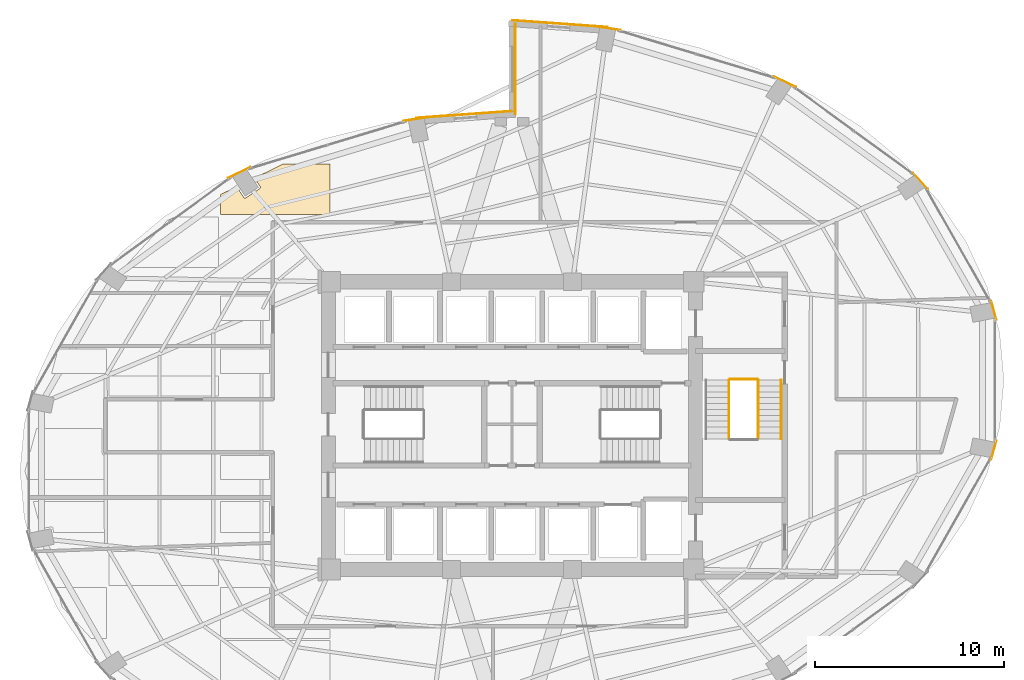
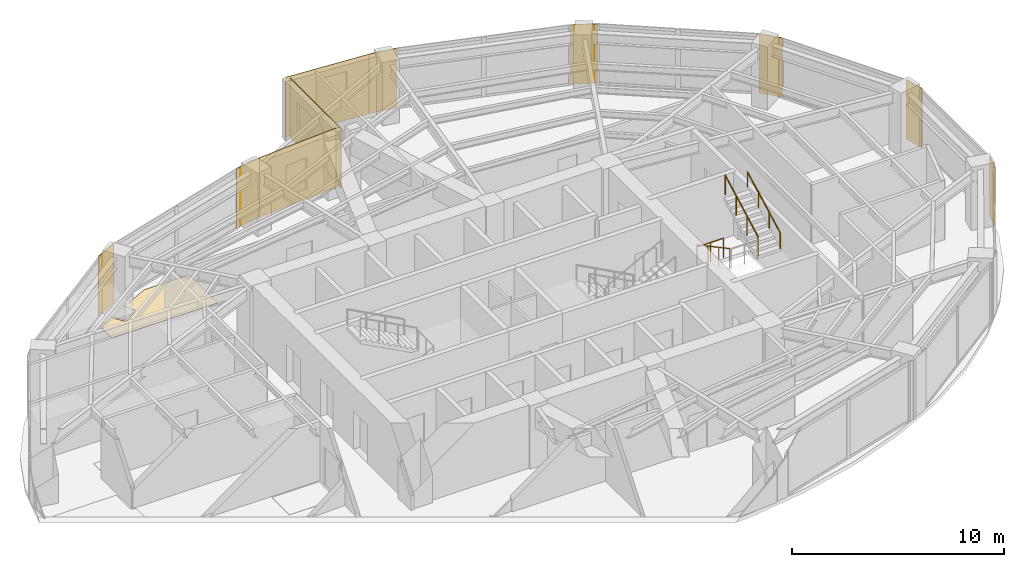
# One storey, part 23 of 23: 11 coverings, 4 railings.
"""IFC4 building model written with IfcOpenShell, lengths in metres."""

from ifc_helpers import new_model, si_unit, direction, frame, origin, origin_2d, place, context, subcontext, project, spatial, polyline, rectangle, circle, outline, extrude, material, layer, layer_set, type_object, element, save


model = new_model("IFC4")

# Units and contexts
model_context = context("Model", 3, precision=1e-05, world=origin(), true_north=direction((0.0, 1.0)))
body_context = subcontext(model_context, "Body", "Model", "MODEL_VIEW")
ifc_project = project(units=[si_unit("LENGTHUNIT", "METRE"), si_unit("AREAUNIT", "SQUARE_METRE"), si_unit("VOLUMEUNIT", "CUBIC_METRE"), si_unit("PLANEANGLEUNIT", "RADIAN"), si_unit("MASSUNIT", "GRAM", prefix="KILO")], contexts=[model_context])

# Site, building, storey
site_placement = place(None, origin())
site = spatial("IfcSite", under=ifc_project, at=site_placement, CompositionType="ELEMENT")
building_placement = place(site_placement, origin())
building = spatial("IfcBuilding", under=site, at=building_placement, Name="Lazwardi Medical Tower", CompositionType="ELEMENT")
storey_placement = place(building_placement, frame((0.0, 0.0, 92.68798828125)))
storey = spatial("IfcBuildingStorey", under=building, at=storey_placement, Name="L23", CompositionType="ELEMENT", Elevation=92.68798828125)

# Coverings
ifc_material_1 = material(Name="Anodised bronze aluminium cassette cladding", Category="aluminium")
ifc_layer_1 = layer(ifc_material_1, 0.030029296875)
ifc_layer_set_1 = layer_set([ifc_layer_1], Name="Anodised bronze aluminium cassette cladding")
covering_type_1 = type_object("IfcCoveringType", Name="COV-CLD-BRZ", PredefinedType="CLADDING", material=ifc_layer_set_1)
for number, where, z_axis, x_axis, name in (
    (1, (61.459716796875, 26.700927734375, 0.0), (0.0, 0.0, 1.0), (0.262696108164, 0.964878621774, 0.0), "L23 Mega-column bronze cassette cover M04"),
    (2, (61.459716796875, 34.09912109375, 0.0), (0.0, 0.0, 1.0), (-0.262696108164, 0.964878621774, 0.0), "L23 Mega-column bronze cassette cover M05"),
):
    element("IfcCovering", number, at=place(storey_placement, frame(where, z_axis=z_axis, x_axis=x_axis)), inside=storey, type_object=covering_type_1, Name=name, PredefinedType="CLADDING", context=body_context, shape_type="SweptSolid", body=[
        extrude(rectangle(XDim=1.04296875, YDim=0.030029296875, at=origin_2d()), origin(), (0.0, 0.0, 1.0), 3.427978515625),
    ])
covering_1_placement = place(storey_placement, frame((57.583740234375, 40.93408203125, 0.0), z_axis=(0.0, 0.0, 1.0), x_axis=(-0.674925949214, 0.737885467453, 0.0)))
element("IfcCovering", 3, at=covering_1_placement, inside=storey, type_object=covering_type_1, Name="L23 Mega-column bronze cassette cover M06", PredefinedType="CLADDING", context=body_context, shape_type="SweptSolid", body=[
    extrude(rectangle(XDim=1.15625, YDim=0.030029296875, at=origin_2d()), origin(), (0.0, 0.0, 1.0), 3.427978515625),
])
covering_2_placement = place(storey_placement, frame((50.421875, 46.16552734375, 0.0), z_axis=(0.0, 0.0, 1.0), x_axis=(-0.898679250201, 0.438606435495, 0.0)))
element("IfcCovering", 4, at=covering_2_placement, inside=storey, type_object=covering_type_1, Name="L23 Mega-column bronze cassette cover M07", PredefinedType="CLADDING", context=body_context, shape_type="SweptSolid", body=[
    extrude(rectangle(XDim=1.2998046875, YDim=0.030029296875, at=origin_2d()), origin(), (0.0, 0.0, 1.0), 3.427978515625),
])
for number, where, z_axis, x_axis, name in (
    (5, (41.064208984375, 48.99658203125, 0.0), (0.0, 0.0, 1.0), (-0.989609019093, 0.143784523955, 0.0), "L23 Mega-column bronze cassette cover M08"),
    (6, (30.935791015625, 44.19677734375, 0.0), (0.0, 0.0, 1.0), (-0.989609019093, -0.143784523955, 0.0), "L23 Mega-column bronze cassette cover M09"),
):
    element("IfcCovering", number, at=place(storey_placement, frame(where, z_axis=z_axis, x_axis=x_axis)), inside=storey, type_object=covering_type_1, Name=name, PredefinedType="CLADDING", context=body_context, shape_type="SweptSolid", body=[
        extrude(rectangle(XDim=1.392333984375, YDim=0.030029296875, at=origin_2d()), origin(), (0.0, 0.0, 1.0), 3.427978515625),
    ])
covering_3_placement = place(storey_placement, frame((21.578125, 41.365478515625, 0.0), z_axis=(0.0, 0.0, 1.0), x_axis=(-0.898679250201, -0.438606435495, 0.0)))
element("IfcCovering", 7, at=covering_3_placement, inside=storey, type_object=covering_type_1, Name="L23 Mega-column bronze cassette cover M10", PredefinedType="CLADDING", context=body_context, shape_type="SweptSolid", body=[
    extrude(rectangle(XDim=1.2998046875, YDim=0.030029296875, at=origin_2d()), origin(), (0.0, 0.0, 1.0), 3.427978515625),
])
ifc_material_2 = material(Name="Turquoise glazed ceramic tilework cladding", Category="masonry")
ifc_layer_2 = layer(ifc_material_2, 0.034912109375)
ifc_layer_set_2 = layer_set([ifc_layer_2], Name="Turquoise glazed ceramic tilework cladding")
covering_type_2 = type_object("IfcCoveringType", Name="COV-CLD-TRQ", PredefinedType="CLADDING", material=ifc_layer_set_2)
covering_4_placement = place(storey_placement, frame((38.533203125, 49.23388671875, 0.0), z_axis=(0.0, 0.0, 1.0), x_axis=(-0.997431665415, 0.07162452672, 0.0)))
element("IfcCovering", 8, at=covering_4_placement, inside=storey, type_object=covering_type_2, Name="L23 Turquoise glazed ceramic tilework cladding", PredefinedType="CLADDING", context=body_context, shape_type="SweptSolid", body=[
    extrude(rectangle(XDim=5.05419921875, YDim=0.034912109375, at=origin_2d()), origin(), (0.0, 0.0, 1.0), 3.427978515625),
])
covering_5_placement = place(storey_placement, frame((33.466552734375, 44.43408203125, 0.0), z_axis=(0.0, 0.0, 1.0), x_axis=(-0.997431165357, -0.071631490105, 0.0)))
element("IfcCovering", 9, at=covering_5_placement, inside=storey, type_object=covering_type_2, Name="L23 Turquoise glazed ceramic tilework cladding", PredefinedType="CLADDING", context=body_context, shape_type="SweptSolid", body=[
    extrude(rectangle(XDim=5.0537109375, YDim=0.034912109375, at=origin_2d()), origin(), (0.0, 0.0, 1.0), 3.427978515625),
])
covering_6_placement = place(storey_placement, frame((36.175537109375, 46.840087890625, 0.0), z_axis=(0.0, 0.0, 1.0), x_axis=(0.0, -1.0, 0.0)))
element("IfcCovering", 10, at=covering_6_placement, inside=storey, type_object=covering_type_2, Name="L23 Turquoise glazed ceramic tilework iwan panel", PredefinedType="CLADDING", context=body_context, shape_type="SweptSolid", body=[
    extrude(rectangle(XDim=4.800048828125, YDim=0.034912109375, at=origin_2d()), origin(), (0.0, 0.0, 1.0), 3.427978515625),
])
ifc_material_3 = material(Name="Anti-static hospital vinyl sheet flooring")
ifc_layer_3 = layer(ifc_material_3, 0.014892578125)
ifc_layer_set_3 = layer_set([ifc_layer_3], Name="Anti-static hospital vinyl sheet flooring")
covering_type_3 = type_object("IfcCoveringType", Name="COV-FLR-01", PredefinedType="FLOORING", material=ifc_layer_set_3)
covering_7_placement = place(storey_placement, origin())
element("IfcCovering", 11, at=covering_7_placement, inside=storey, type_object=covering_type_3, Name="L23 Clinical Vinyl Flooring 10", PredefinedType="FLOORING", context=body_context, shape_type="SweptSolid", body=[
    extrude(outline(polyline([(23.930419921875, 41.83251953125), (22.39111328125, 41.082763671875), (22.693115234375, 40.630859375), (22.697265625, 40.6240234375), (22.700439453125, 40.616943359375), (22.703125, 40.609619140625), (22.705078125, 40.60205078125), (22.706298828125, 40.59423828125), (22.70654296875, 40.58642578125), (22.706298828125, 40.57861328125), (22.705078125, 40.57080078125), (22.703125, 40.563232421875), (22.700439453125, 40.555908203125), (22.697265625, 40.548583984375), (22.693115234375, 40.5419921875), (22.6884765625, 40.53564453125), (22.68310546875, 40.52978515625), (22.677490234375, 40.524658203125), (22.6708984375, 40.52001953125), (21.939208984375, 40.031005859375), (21.9326171875, 40.02685546875), (21.925537109375, 40.023681640625), (21.918212890625, 40.02099609375), (21.910400390625, 40.01904296875), (21.902587890625, 40.017822265625), (21.89501953125, 40.017578125), (21.88720703125, 40.017822265625), (21.87939453125, 40.01904296875), (21.87158203125, 40.02099609375), (21.8642578125, 40.023681640625), (21.857177734375, 40.02685546875), (21.8505859375, 40.031005859375), (21.843994140625, 40.03564453125), (21.83837890625, 40.041015625), (21.8330078125, 40.046875), (21.828369140625, 40.052978515625), (21.447509765625, 40.623291015625), (20.602783203125, 40.2119140625), (20.602783203125, 39.15234375), (26.3828125, 39.15234375), (26.3828125, 41.83251953125), (23.930419921875, 41.83251953125)])), origin(), (0.0, 0.0, 1.0), 0.014892578125),
])

# Railings
ifc_material_4 = material(Name="Stainless steel Grade 316", Category="steel")
railing_type_1 = type_object("IfcRailingType", Name="RLG-GRD-1150", PredefinedType="GUARDRAIL", material=ifc_material_4)
railing_1_placement = place(storey_placement, frame((47.469970703125, 30.39990234375, 0.165771484375)))
element("IfcRailing", 12, at=railing_1_placement, inside=storey, type_object=railing_type_1, Name="L23 ST3 stair guard 1", PredefinedType="GUARDRAIL", context=body_context, shape_type="SweptSolid", body=[
    extrude(circle(Radius=0.02392578125, at=origin_2d()), frame((0.0, 0.0, 1.1259765625), z_axis=(0.0, -0.881767849116, 0.471683644262), x_axis=(1.0, 0.0, 0.0)), (0.0, 0.0, 1.0), 3.515380859375),
    extrude(circle(Radius=0.02099609375, at=origin_2d()), origin(), (0.0, 0.0, 1.0), 1.099853515625),
    extrude(circle(Radius=0.02099609375, at=origin_2d()), frame((0.0, -1.033203125, 0.552734375)), (0.0, 0.0, 1.0), 1.099853515625),
    extrude(circle(Radius=0.02099609375, at=origin_2d()), frame((0.0, -2.066650390625, 1.10546875)), (0.0, 0.0, 1.0), 1.099853515625),
    extrude(circle(Radius=0.02099609375, at=origin_2d()), frame((0.0, -3.099853515625, 1.658203125)), (0.0, 0.0, 1.0), 1.099853515625),
])
railing_2_placement = place(storey_placement, frame((49.010009765625, 27.300048828125, 1.98974609375)))
element("IfcRailing", 13, at=railing_2_placement, inside=storey, type_object=railing_type_1, Name="L23 ST3 stair guard 3", PredefinedType="GUARDRAIL", context=body_context, shape_type="SweptSolid", body=[
    extrude(circle(Radius=0.02392578125, at=origin_2d()), frame((0.0, 0.0, 1.1259765625), z_axis=(0.0, 0.881767849116, 0.471683644262), x_axis=(-1.0, 0.0, 0.0)), (0.0, 0.0, 1.0), 3.515380859375),
    extrude(circle(Radius=0.02099609375, at=origin_2d()), origin(), (0.0, 0.0, 1.0), 1.099853515625),
    extrude(circle(Radius=0.02099609375, at=origin_2d()), frame((0.0, 1.033203125, 0.552734375)), (0.0, 0.0, 1.0), 1.099853515625),
    extrude(circle(Radius=0.02099609375, at=origin_2d()), frame((0.0, 2.066650390625, 1.10546875)), (0.0, 0.0, 1.0), 1.099853515625),
    extrude(circle(Radius=0.02099609375, at=origin_2d()), frame((0.0, 3.099853515625, 1.658203125)), (0.0, 0.0, 1.0), 1.099853515625),
])
railing_3_placement = place(storey_placement, frame((47.52001953125, 30.449951171875, 0.0)))
element("IfcRailing", 14, at=railing_3_placement, inside=storey, type_object=railing_type_1, Name="L23 ST3 stair guard 4", PredefinedType="GUARDRAIL", context=body_context, shape_type="SweptSolid", body=[
    extrude(circle(Radius=0.02392578125, at=origin_2d()), frame((0.0, 0.0, 1.1259765625), z_axis=(1.0, 0.0, 0.0), x_axis=(0.0, 1.0, 0.0)), (0.0, 0.0, 1.0), 1.43994140625),
    extrude(circle(Radius=0.02099609375, at=origin_2d()), origin(), (0.0, 0.0, 1.0), 1.099853515625),
    extrude(circle(Radius=0.02099609375, at=origin_2d()), frame((0.719970703125, 0.0, 0.0)), (0.0, 0.0, 1.0), 1.099853515625),
    extrude(circle(Radius=0.02099609375, at=origin_2d()), frame((1.43994140625, 0.0, 0.0)), (0.0, 0.0, 1.0), 1.099853515625),
])
railing_type_2 = type_object("IfcRailingType", Name="RLG-HND-920", PredefinedType="HANDRAIL", material=ifc_material_4)
railing_4_placement = place(storey_placement, frame((50.22998046875, 27.300048828125, 1.98974609375)))
element("IfcRailing", 15, at=railing_4_placement, inside=storey, type_object=railing_type_2, Name="L23 ST3 stair handrail 2", PredefinedType="HANDRAIL", context=body_context, shape_type="SweptSolid", body=[
    extrude(circle(Radius=0.02392578125, at=origin_2d()), frame((0.0, 0.0, 0.8857421875), z_axis=(0.0, 0.881767849116, 0.471683644262), x_axis=(-1.0, 0.0, 0.0)), (0.0, 0.0, 1.0), 3.515380859375),
    extrude(circle(Radius=0.02099609375, at=origin_2d()), origin(), (0.0, 0.0, 1.0), 0.85986328125),
    extrude(circle(Radius=0.02099609375, at=origin_2d()), frame((0.0, 1.033203125, 0.552734375)), (0.0, 0.0, 1.0), 0.85986328125),
    extrude(circle(Radius=0.02099609375, at=origin_2d()), frame((0.0, 2.066650390625, 1.10546875)), (0.0, 0.0, 1.0), 0.85986328125),
    extrude(circle(Radius=0.02099609375, at=origin_2d()), frame((0.0, 3.099853515625, 1.658203125)), (0.0, 0.0, 1.0), 0.85986328125),
])

save(model, "model.ifc")
